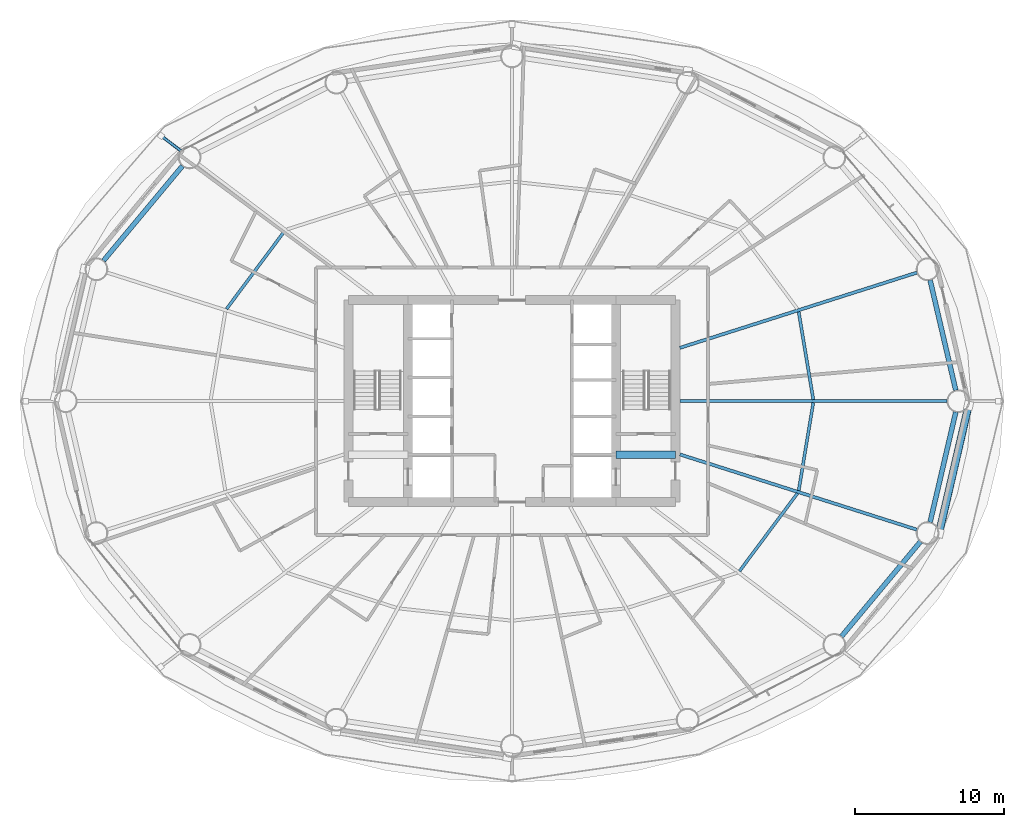
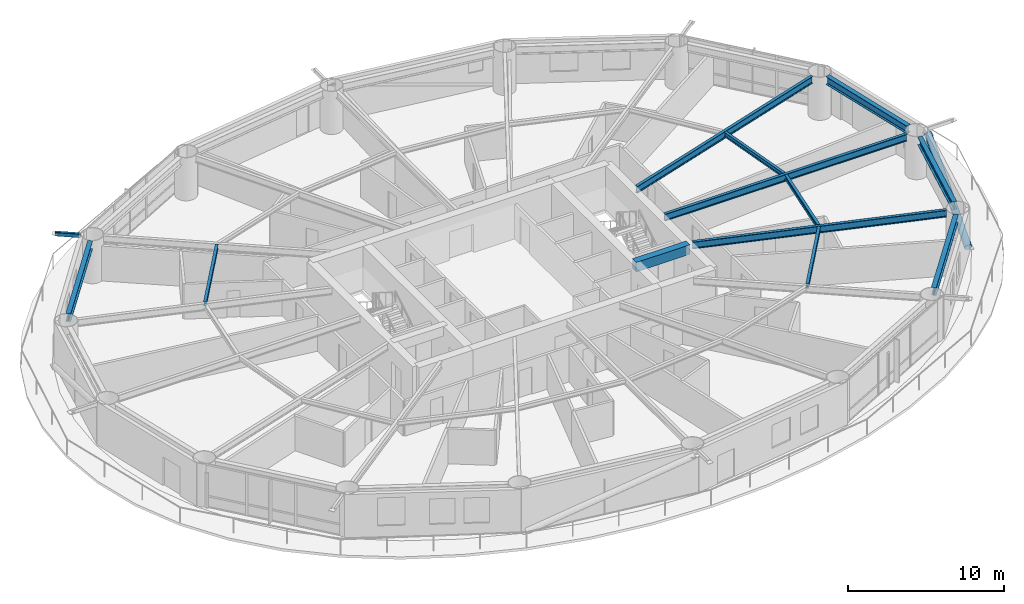
# One storey, part 9 of 28: 12 beams, 2 members.
"""IFC4 building model written with IfcOpenShell, lengths in metres."""

from ifc_helpers import new_model, si_unit, direction, frame, origin, origin_2d, place, context, subcontext, project, spatial, rectangle, hollow_rectangle, hollow_circle, i_section, extrude, material, material_profile, profile_set, type_object, element, save


model = new_model("IFC4")

# Units and contexts
model_context = context("Model", 3, precision=1e-05, world=origin(), true_north=direction((0.0, 1.0)))
body_context = subcontext(model_context, "Body", "Model", "MODEL_VIEW")
ifc_project = project(units=[si_unit("LENGTHUNIT", "METRE"), si_unit("AREAUNIT", "SQUARE_METRE"), si_unit("VOLUMEUNIT", "CUBIC_METRE"), si_unit("PLANEANGLEUNIT", "RADIAN"), si_unit("MASSUNIT", "GRAM", prefix="KILO")], contexts=[model_context])

# Site, building, storey
site_placement = place(None, origin())
site = spatial("IfcSite", under=ifc_project, at=site_placement, CompositionType="ELEMENT")
building_placement = place(site_placement, origin())
building = spatial("IfcBuilding", under=site, at=building_placement, Name="Sarneth Arch Tower", CompositionType="ELEMENT")
storey_placement = place(building_placement, frame((0.0, 0.0, 31.800048828125)))
storey = spatial("IfcBuildingStorey", under=building, at=storey_placement, Name="L06", CompositionType="ELEMENT", Elevation=31.800048828125)

# Beams
ifc_material_1 = material(Name="Steel S355", Category="steel")
ifc_material_profile_1 = material_profile(ifc_material_1, i_section(OverallWidth=0.202880859375, OverallDepth=0.346923828125, WebThickness=0.0078125, FlangeThickness=0.013427734375, FilletRadius=0.014892578125, at=origin_2d()), Name="W360x64")
ifc_profile_set_1 = profile_set([ifc_material_profile_1], Name="Steel S355")
beam_type_1 = type_object("IfcBeamType", Name="BM-JOIST-360C", PredefinedType="JOIST", material=ifc_profile_set_1)
beam_1_placement = place(storey_placement, frame((68.27490234375, 42.10546875, 3.20654296875), z_axis=(-0.16394288124, 0.986469833138, 0.0), x_axis=(-0.986469833138, -0.16394288124, 0.0)))
element("IfcBeam", 1, at=beam_1_placement, inside=storey, type_object=beam_type_1, Name="L06 Secondary floor joist 01", PredefinedType="JOIST", context=body_context, shape_type="SweptSolid", body=[
    extrude(i_section(OverallWidth=0.202880859375, OverallDepth=0.346923828125, WebThickness=0.0078125, FlangeThickness=0.013427734375, FilletRadius=0.014892578125, at=origin_2d()), origin(), (0.0, 0.0, 1.0), 5.989501953125),
])
for number, where, z_axis, x_axis, name in (
    (2, (32.691650390625, 53.4404296875, 3.20654296875), (-0.597700490469, -0.801719479428, 0.0), (0.801719479428, -0.597700490469, 0.0), "L06 Secondary floor joist 07"),
    (3, (63.308349609375, 30.5595703125, 3.20654296875), (0.597700490469, 0.801719479428, 0.0), (-0.801719479428, 0.597700490469, 0.0), "L06 Secondary floor joist 15"),
):
    element("IfcBeam", number, at=place(storey_placement, frame(where, z_axis=z_axis, x_axis=x_axis)), inside=storey, type_object=beam_type_1, Name=name, PredefinedType="JOIST", context=body_context, shape_type="SweptSolid", body=[
        extrude(i_section(OverallWidth=0.202880859375, OverallDepth=0.346923828125, WebThickness=0.0078125, FlangeThickness=0.013427734375, FilletRadius=0.014892578125, at=origin_2d()), origin(), (0.0, 0.0, 1.0), 6.5302734375),
    ])
beam_2_placement = place(storey_placement, frame((67.29296875, 35.986083984375, 3.20654296875), z_axis=(0.16394288124, 0.986469833138, 0.0), x_axis=(-0.986469833138, 0.16394288124, 0.0)))
element("IfcBeam", 4, at=beam_2_placement, inside=storey, type_object=beam_type_1, Name="L06 Secondary floor joist 16", PredefinedType="JOIST", context=body_context, shape_type="SweptSolid", body=[
    extrude(i_section(OverallWidth=0.202880859375, OverallDepth=0.346923828125, WebThickness=0.0078125, FlangeThickness=0.013427734375, FilletRadius=0.014892578125, at=origin_2d()), origin(), (0.0, 0.0, 1.0), 5.989501953125),
])
ifc_material_2 = material(Name="Concrete C50/60", Category="concrete")
ifc_material_profile_2 = material_profile(ifc_material_2, rectangle(XDim=0.5, YDim=0.75, at=origin_2d()), Name="RC-500x750")
ifc_profile_set_2 = profile_set([ifc_material_profile_2], Name="Concrete C50/60")
beam_type_2 = type_object("IfcBeamType", Name="BM-LINTEL-RC", PredefinedType="LINTEL", material=ifc_profile_set_2)
beam_3_placement = place(storey_placement, frame((55.0, 38.39990234375, 3.0048828125), z_axis=(1.0, 0.0, 0.0), x_axis=(0.0, 1.0, 0.0)))
element("IfcBeam", 5, at=beam_3_placement, inside=storey, type_object=beam_type_2, Name="L06 Core coupling lintel E", PredefinedType="LINTEL", context=body_context, shape_type="SweptSolid", body=[
    extrude(rectangle(XDim=0.5, YDim=0.75, at=origin_2d()), origin(), (0.0, 0.0, 1.0), 4.0),
])
ifc_material_3 = material(Name="Steel S355", Category="steel")
ifc_material_profile_3 = material_profile(ifc_material_3, i_section(OverallWidth=0.214111328125, OverallDepth=0.549072265625, WebThickness=0.0146484375, FlangeThickness=0.023681640625, FilletRadius=0.01806640625, at=origin_2d()), Name="W530x138")
ifc_profile_set_3 = profile_set([ifc_material_profile_3], Name="Steel S355")
beam_type_3 = type_object("IfcBeamType", Name="BM-RAD-530A", PredefinedType="BEAM", material=ifc_profile_set_3)
beam_4_placement = place(storey_placement, frame((59.300048828125, 42.0, 3.10546875), z_axis=(1.0, 0.0, 0.0), x_axis=(0.0, 1.0, 0.0)))
element("IfcBeam", 6, at=beam_4_placement, inside=storey, type_object=beam_type_3, Name="L06 Radial floor girder 01", PredefinedType="BEAM", context=body_context, shape_type="SweptSolid", body=[
    extrude(i_section(OverallWidth=0.214111328125, OverallDepth=0.549072265625, WebThickness=0.0146484375, FlangeThickness=0.023681640625, FilletRadius=0.01806640625, at=origin_2d()), origin(), (0.0, 0.0, 1.0), 17.98486328125),
])
for number, where, z_axis, x_axis, name in (
    (7, (59.300048828125, 45.58740234375, 3.10546875), (0.953119859464, 0.30259301627, 0.0), (-0.30259301627, 0.953119859464, 0.0), "L06 Radial floor girder 02"),
    (8, (59.300048828125, 38.41259765625, 3.10546875), (0.953119859464, -0.30259301627, 0.0), (0.30259301627, 0.953119859464, 0.0), "L06 Radial floor girder 16"),
):
    element("IfcBeam", number, at=place(storey_placement, frame(where, z_axis=z_axis, x_axis=x_axis)), inside=storey, type_object=beam_type_3, Name=name, PredefinedType="BEAM", context=body_context, shape_type="SweptSolid", body=[
        extrude(i_section(OverallWidth=0.214111328125, OverallDepth=0.549072265625, WebThickness=0.0146484375, FlangeThickness=0.023681640625, FilletRadius=0.01806640625, at=origin_2d()), origin(), (0.0, 0.0, 1.0), 16.7353515625),
    ])
ifc_material_4 = material(Name="Steel S355", Category="steel")
ifc_material_profile_4 = material_profile(ifc_material_4, i_section(OverallWidth=0.326904296875, OverallDepth=0.6220703125, WebThickness=0.015380859375, FlangeThickness=0.0244140625, FilletRadius=0.01904296875, at=origin_2d()), Name="W610x195")
ifc_profile_set_4 = profile_set([ifc_material_profile_4], Name="Steel S355")
beam_type_4 = type_object("IfcBeamType", Name="BM-SPAN-610A", PredefinedType="SPANDREL", material=ifc_profile_set_4)
beam_5_placement = place(storey_placement, frame((77.864501953125, 42.73046875, 3.06884765625), z_axis=(-0.226982354826, 0.973898870827, 0.0), x_axis=(-0.973898870827, -0.226982354826, 0.0)))
element("IfcBeam", 9, at=beam_5_placement, inside=storey, type_object=beam_type_4, Name="L06 Perimeter spandrel beam 01", PredefinedType="SPANDREL", context=body_context, shape_type="SweptSolid", body=[
    extrude(i_section(OverallWidth=0.326904296875, OverallDepth=0.6220703125, WebThickness=0.015380859375, FlangeThickness=0.0244140625, FilletRadius=0.01904296875, at=origin_2d()), origin(), (0.0, 0.0, 1.0), 7.6162109375),
])
for number, where, z_axis, x_axis, name in (
    (10, (25.8232421875, 57.82861328125, 3.06884765625), (-0.639981736251, -0.768390120489, 0.0), (0.768390120489, -0.639981736251, 0.0), "L06 Perimeter spandrel beam 07"),
    (11, (70.1767578125, 26.17138671875, 3.06884765625), (0.639981736251, 0.768390120489, 0.0), (-0.768390120489, 0.639981736251, 0.0), "L06 Perimeter spandrel beam 15"),
):
    element("IfcBeam", number, at=place(storey_placement, frame(where, z_axis=z_axis, x_axis=x_axis)), inside=storey, type_object=beam_type_4, Name=name, PredefinedType="SPANDREL", context=body_context, shape_type="SweptSolid", body=[
        extrude(i_section(OverallWidth=0.326904296875, OverallDepth=0.6220703125, WebThickness=0.015380859375, FlangeThickness=0.0244140625, FilletRadius=0.01904296875, at=origin_2d()), origin(), (0.0, 0.0, 1.0), 8.29541015625),
    ])
beam_6_placement = place(storey_placement, frame((76.1357421875, 33.85205078125, 3.06884765625), z_axis=(0.226982354826, 0.973898870827, 0.0), x_axis=(-0.973898870827, 0.226982354826, 0.0)))
element("IfcBeam", 12, at=beam_6_placement, inside=storey, type_object=beam_type_4, Name="L06 Perimeter spandrel beam 16", PredefinedType="SPANDREL", context=body_context, shape_type="SweptSolid", body=[
    extrude(i_section(OverallWidth=0.326904296875, OverallDepth=0.6220703125, WebThickness=0.015380859375, FlangeThickness=0.0244140625, FilletRadius=0.01904296875, at=origin_2d()), origin(), (0.0, 0.0, 1.0), 7.6162109375),
])

# Members
ifc_material_5 = material(Name="Steel S355", Category="steel")
ifc_material_profile_5 = material_profile(ifc_material_5, hollow_rectangle(XDim=0.199951171875, YDim=0.300048828125, WallThickness=0.012451171875, InnerFilletRadius=0.018798828125, OuterFilletRadius=0.03125, at=origin_2d()), Name="RHS300x200x12.5")
ifc_profile_set_5 = profile_set([ifc_material_profile_5], Name="Steel S355")
member_type_1 = type_object("IfcMemberType", Name="MEM-CANT-STRUT", PredefinedType="STRUT", material=ifc_profile_set_5)
member_1_placement = place(storey_placement, frame((25.705078125, 58.857177734375, 3.219970703125), z_axis=(-0.797623001242, 0.603156321272, 0.0), x_axis=(-0.603156321272, -0.797623001242, 0.0)))
element("IfcMember", 13, at=member_1_placement, inside=storey, type_object=member_type_1, Name="L06 Balcony cantilever bracket 07", PredefinedType="STRUT", context=body_context, shape_type="SweptSolid", body=[
    extrude(hollow_rectangle(XDim=0.199951171875, YDim=0.300048828125, WallThickness=0.012451171875, InnerFilletRadius=0.018798828125, OuterFilletRadius=0.03125, at=origin_2d()), origin(), (0.0, 0.0, 1.0), 1.656005859375),
])
ifc_material_6 = material(Name="Steel S355", Category="steel")
ifc_material_profile_6 = material_profile(ifc_material_6, hollow_circle(Radius=0.25390625, WallThickness=0.01611328125, at=origin_2d()), Name="CHS508x16")
ifc_profile_set_6 = profile_set([ifc_material_profile_6], Name="Steel S355")
member_type_2 = type_object("IfcMemberType", Name="MEM-DIAG-BR1", PredefinedType="BRACE", material=ifc_profile_set_6)
member_2_placement = place(storey_placement, frame((76.739013671875, 33.115478515625, 0.02001953125), z_axis=(0.213332307958, 0.922814312474, 0.320785085492), x_axis=(-0.974304339016, 0.225235554419, 0.0)))
element("IfcMember", 14, at=member_2_placement, inside=storey, type_object=member_type_2, Name="L06 Perimeter frame diagonal 16", PredefinedType="BRACE", context=body_context, shape_type="SweptSolid", body=[
    extrude(hollow_circle(Radius=0.25390625, WallThickness=0.01611328125, at=origin_2d()), origin(), (0.0, 0.0, 1.0), 9.31103515625),
])

save(model, "model.ifc")
